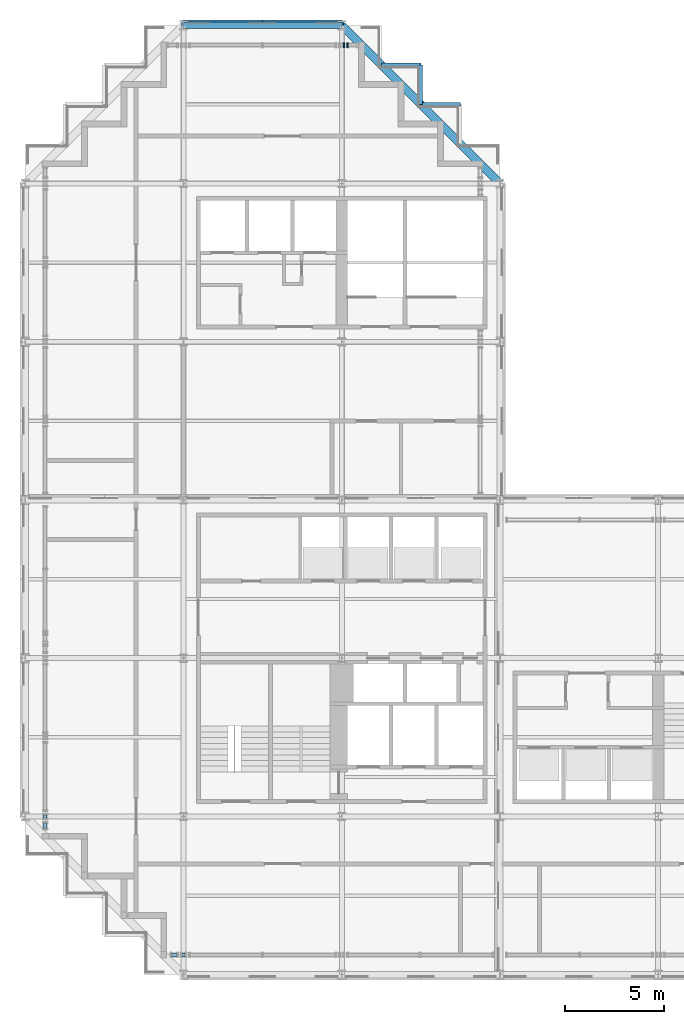
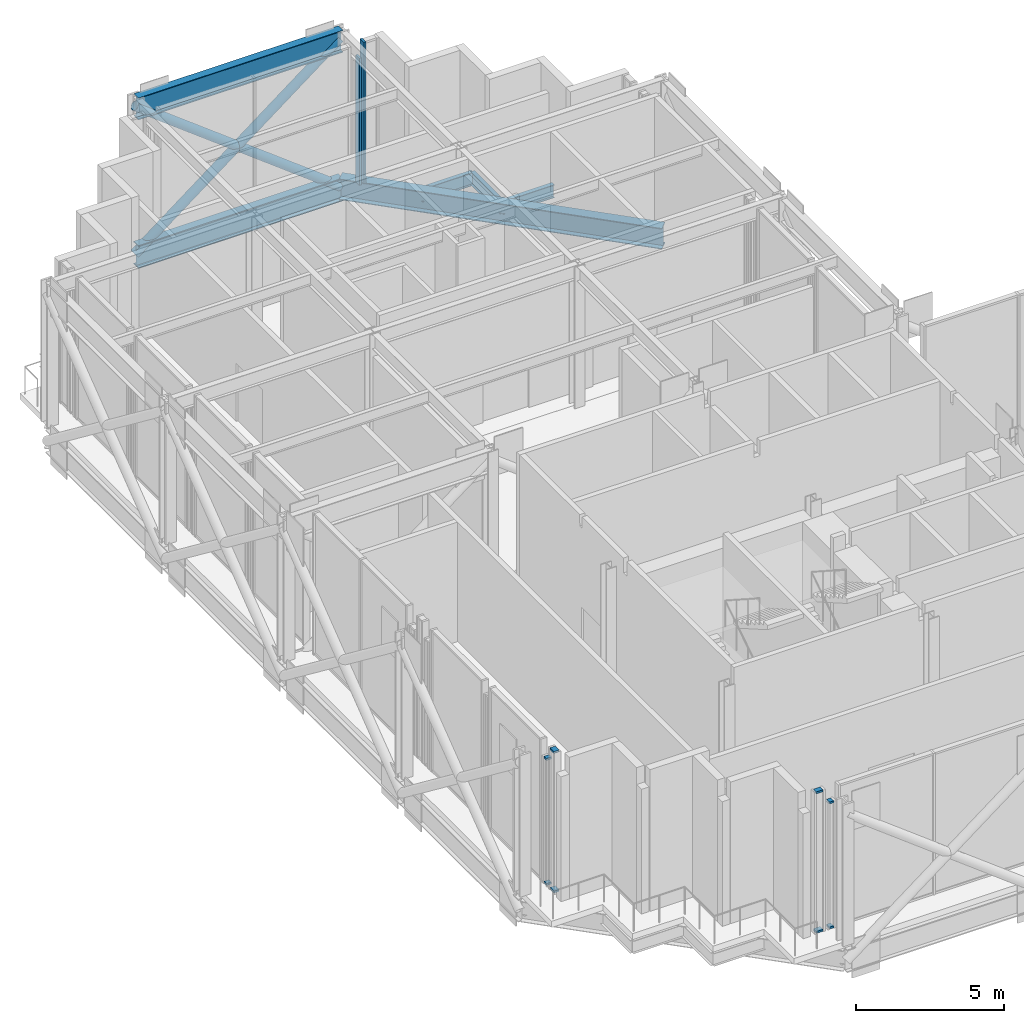
# One storey, part 6 of 23: 12 members, 6 beams, 6 elements without a shape of their own.
"""IFC4 building model written with IfcOpenShell, lengths in metres."""

from ifc_helpers import new_model, si_unit, direction, frame, origin, origin_2d, place, context, subcontext, project, spatial, rectangle, hollow_circle, i_section, extrude, material, material_profile, profile_set, type_object, element, aggregate, save


model = new_model("IFC4")

# Units and contexts
model_context = context("Model", 3, precision=1e-05, world=origin(), true_north=direction((0.0, 1.0)))
body_context = subcontext(model_context, "Body", "Model", "MODEL_VIEW")
ifc_project = project(units=[si_unit("LENGTHUNIT", "METRE"), si_unit("AREAUNIT", "SQUARE_METRE"), si_unit("VOLUMEUNIT", "CUBIC_METRE"), si_unit("PLANEANGLEUNIT", "RADIAN"), si_unit("MASSUNIT", "GRAM", prefix="KILO")], contexts=[model_context])

# Site, building, storey
site_placement = place(None, origin())
site = spatial("IfcSite", under=ifc_project, at=site_placement, CompositionType="ELEMENT")
building_placement = place(site_placement, origin())
building = spatial("IfcBuilding", under=site, at=building_placement, Name="Immortelle Media Tower", CompositionType="ELEMENT")
storey_placement = place(building_placement, frame((0.0, 0.0, 183.0)))
storey = spatial("IfcBuildingStorey", under=building, at=storey_placement, Name="L38", CompositionType="ELEMENT", Elevation=183.0)

# Members
ifc_material_1 = material(Name="Steel ASTM A500 Gr C", Category="steel")
ifc_material_profile_1 = material_profile(ifc_material_1, hollow_circle(Radius=0.177978515625, WallThickness=0.011962890625, at=origin_2d()), Name="HSS14.000x0.500 truss diagonal")
ifc_profile_set_1 = profile_set([ifc_material_profile_1], Name="Steel ASTM A500 Gr C")
member_type_1 = type_object("IfcMemberType", Name="HSS14.000x0.500 truss diagonal", PredefinedType="BRACE", material=ifc_profile_set_1)
for number, where, z_axis, x_axis, name in (
    (1, (8.0, 48.087890625, -0.72509765625), (0.794333061913, 0.0, 0.607482499132), (0.0, 1.0, 0.0), "Belt truss G/2-3 A"),
    (2, (8.0, 48.087890625, 5.39306640625), (0.794333061913, 0.0, -0.607482499132), (0.0, 1.0, 0.0), "Belt truss G/2-3 B"),
):
    element("IfcMember", number, at=place(storey_placement, frame(where, z_axis=z_axis, x_axis=x_axis)), inside=storey, type_object=member_type_1, Name=name, PredefinedType="BRACE", context=body_context, shape_type="SweptSolid", body=[
        extrude(hollow_circle(Radius=0.177978515625, WallThickness=0.011962890625, at=origin_2d()), origin(), (0.0, 0.0, 1.0), 10.0712890625),
    ])

# Curtain wall, member
ifc_material_2 = material(Name="Aluminium curtain wall system", Category="aluminium")
curtain_wall_type = type_object("IfcCurtainWallType", Name="Plant louvre wall curtain wall", PredefinedType="NOTDEFINED", material=ifc_material_2)
curtain_wall_1_placement = place(storey_placement, origin())
curtain_wall_1 = element("IfcCurtainWall", 3, at=curtain_wall_1_placement, inside=storey, type_object=curtain_wall_type, Name="Plant louvre wall L38 N 29-1", PredefinedType="NOTDEFINED")
ifc_material_3 = material(Name="Aluminium 6063-T6", Category="aluminium")
ifc_material_profile_2 = material_profile(ifc_material_3, rectangle(XDim=0.25, YDim=0.080078125, at=origin_2d()), Name="AL 80x250")
ifc_profile_set_2 = profile_set([ifc_material_profile_2], Name="Aluminium 6063-T6")
member_type_2 = type_object("IfcMemberType", Name="Plant louvre wall mullion 80 x 250", PredefinedType="MULLION", material=ifc_profile_set_2)
member_1_placement = place(storey_placement, frame((16.2939453125, 47.0, 0.0), z_axis=(0.0, 0.0, 1.0), x_axis=(0.0, -1.0, 0.0)))
member_1 = element("IfcMember", 4, at=member_1_placement, type_object=member_type_2, Name="CW6 mullion 2", PredefinedType="MULLION", context=body_context, shape_type="SweptSolid", body=[
    extrude(rectangle(XDim=0.25, YDim=0.080078125, at=origin_2d()), origin(), (0.0, 0.0, 1.0), 5.849609375),
])
aggregate(curtain_wall_1, [member_1])

curtain_wall_2_placement = place(storey_placement, origin())
curtain_wall_2 = element("IfcCurtainWall", 5, at=curtain_wall_2_placement, inside=storey, type_object=curtain_wall_type, Name="Plant louvre wall L38 N 29-2", PredefinedType="NOTDEFINED")
member_2_placement = place(storey_placement, frame((16.1240234375, 47.0, 0.0), z_axis=(0.0, 0.0, 1.0), x_axis=(0.0, -1.0, 0.0)))
member_2 = element("IfcMember", 6, at=member_2_placement, type_object=member_type_2, Name="CW6 mullion 1", PredefinedType="MULLION", context=body_context, shape_type="SweptSolid", body=[
    extrude(rectangle(XDim=0.25, YDim=0.080078125, at=origin_2d()), origin(), (0.0, 0.0, 1.0), 5.24755859375),
])
aggregate(curtain_wall_2, [member_2])

# Curtain wall, members
curtain_wall_3_placement = place(storey_placement, origin())
curtain_wall_3 = element("IfcCurtainWall", 7, at=curtain_wall_3_placement, inside=storey, type_object=curtain_wall_type, Name="Plant louvre wall L38 S 7-2", PredefinedType="NOTDEFINED")
ifc_material_profile_3 = material_profile(ifc_material_3, rectangle(XDim=0.199951171875, YDim=0.080078125, at=origin_2d()), Name="AL 80x200")
ifc_profile_set_3 = profile_set([ifc_material_profile_3], Name="Aluminium 6063-T6")
member_type_3 = type_object("IfcMemberType", Name="Plant louvre wall transom 80 x 200", PredefinedType="USERDEFINED", material=ifc_profile_set_3)
member_3_placement = place(storey_placement, frame((7.401611328125, 1.0, 0.0400390625), z_axis=(1.0, 0.0, 0.0), x_axis=(0.0, 1.0, 0.0)))
member_3 = element("IfcMember", 8, at=member_3_placement, type_object=member_type_3, Name="CW6 transom 1.1", ObjectType="TRANSOM", PredefinedType="USERDEFINED", context=body_context, shape_type="SweptSolid", body=[
    extrude(rectangle(XDim=0.199951171875, YDim=0.080078125, at=origin_2d()), origin(), (0.0, 0.0, 1.0), 0.264404296875),
])
member_4_placement = place(storey_placement, frame((7.401611328125, 1.0, 5.8095703125), z_axis=(1.0, 0.0, 0.0), x_axis=(0.0, 1.0, 0.0)))
member_4 = element("IfcMember", 9, at=member_4_placement, type_object=member_type_3, Name="CW6 transom 1.2", ObjectType="TRANSOM", PredefinedType="USERDEFINED", context=body_context, shape_type="SweptSolid", body=[
    extrude(rectangle(XDim=0.199951171875, YDim=0.080078125, at=origin_2d()), origin(), (0.0, 0.0, 1.0), 0.264404296875),
])
aggregate(curtain_wall_3, [member_3, member_4])

curtain_wall_4_placement = place(storey_placement, origin())
curtain_wall_4 = element("IfcCurtainWall", 10, at=curtain_wall_4_placement, inside=storey, type_object=curtain_wall_type, Name="Plant louvre wall L38 S 7-3", PredefinedType="NOTDEFINED")
member_5_placement = place(storey_placement, frame((7.916015625, 1.0, 0.0400390625), z_axis=(1.0, 0.0, 0.0), x_axis=(0.0, 1.0, 0.0)))
member_5 = element("IfcMember", 11, at=member_5_placement, type_object=member_type_3, Name="CW6 transom 1.1", ObjectType="TRANSOM", PredefinedType="USERDEFINED", context=body_context, shape_type="SweptSolid", body=[
    extrude(rectangle(XDim=0.199951171875, YDim=0.080078125, at=origin_2d()), origin(), (0.0, 0.0, 1.0), 0.16796875),
])
member_6_placement = place(storey_placement, frame((7.916015625, 1.0, 5.20751953125), z_axis=(1.0, 0.0, 0.0), x_axis=(0.0, 1.0, 0.0)))
member_6 = element("IfcMember", 12, at=member_6_placement, type_object=member_type_3, Name="CW6 transom 1.2", ObjectType="TRANSOM", PredefinedType="USERDEFINED", context=body_context, shape_type="SweptSolid", body=[
    extrude(rectangle(XDim=0.199951171875, YDim=0.080078125, at=origin_2d()), origin(), (0.0, 0.0, 1.0), 0.16796875),
])
aggregate(curtain_wall_4, [member_5, member_6])

curtain_wall_5_placement = place(storey_placement, origin())
curtain_wall_5 = element("IfcCurtainWall", 13, at=curtain_wall_5_placement, inside=storey, type_object=curtain_wall_type, Name="Plant louvre wall L38 W 36-17", PredefinedType="NOTDEFINED")
member_7_placement = place(storey_placement, frame((1.0, 8.083984375, 0.0400390625), z_axis=(0.0, -1.0, 0.0), x_axis=(1.0, 0.0, 0.0)))
member_7 = element("IfcMember", 14, at=member_7_placement, type_object=member_type_3, Name="CW6 transom 1.1", ObjectType="TRANSOM", PredefinedType="USERDEFINED", context=body_context, shape_type="SweptSolid", body=[
    extrude(rectangle(XDim=0.199951171875, YDim=0.080078125, at=origin_2d()), origin(), (0.0, 0.0, 1.0), 0.16796875),
])
member_8_placement = place(storey_placement, frame((1.0, 8.083984375, 5.20751953125), z_axis=(0.0, -1.0, 0.0), x_axis=(1.0, 0.0, 0.0)))
member_8 = element("IfcMember", 15, at=member_8_placement, type_object=member_type_3, Name="CW6 transom 1.2", ObjectType="TRANSOM", PredefinedType="USERDEFINED", context=body_context, shape_type="SweptSolid", body=[
    extrude(rectangle(XDim=0.199951171875, YDim=0.080078125, at=origin_2d()), origin(), (0.0, 0.0, 1.0), 0.16796875),
])
aggregate(curtain_wall_5, [member_7, member_8])

curtain_wall_6_placement = place(storey_placement, origin())
curtain_wall_6 = element("IfcCurtainWall", 16, at=curtain_wall_6_placement, inside=storey, type_object=curtain_wall_type, Name="Plant louvre wall L38 W 36-18", PredefinedType="NOTDEFINED")
member_9_placement = place(storey_placement, frame((1.0, 7.666015625, 0.0400390625), z_axis=(0.0, -1.0, 0.0), x_axis=(1.0, 0.0, 0.0)))
member_9 = element("IfcMember", 17, at=member_9_placement, type_object=member_type_3, Name="CW6 transom 1.1", ObjectType="TRANSOM", PredefinedType="USERDEFINED", context=body_context, shape_type="SweptSolid", body=[
    extrude(rectangle(XDim=0.199951171875, YDim=0.080078125, at=origin_2d()), origin(), (0.0, 0.0, 1.0), 0.264404296875),
])
member_10_placement = place(storey_placement, frame((1.0, 7.666015625, 5.8095703125), z_axis=(0.0, -1.0, 0.0), x_axis=(1.0, 0.0, 0.0)))
member_10 = element("IfcMember", 18, at=member_10_placement, type_object=member_type_3, Name="CW6 transom 1.2", ObjectType="TRANSOM", PredefinedType="USERDEFINED", context=body_context, shape_type="SweptSolid", body=[
    extrude(rectangle(XDim=0.199951171875, YDim=0.080078125, at=origin_2d()), origin(), (0.0, 0.0, 1.0), 0.264404296875),
])
aggregate(curtain_wall_6, [member_9, member_10])

# Beams
ifc_material_4 = material(Name="Steel ASTM A992 Gr 50", Category="steel")
ifc_material_profile_4 = material_profile(ifc_material_4, i_section(OverallWidth=0.1669921875, OverallDepth=0.535888671875, WebThickness=0.010009765625, FlangeThickness=0.01708984375, at=origin_2d()), Name="W21x57")
ifc_profile_set_4 = profile_set([ifc_material_profile_4], Name="Steel ASTM A992 Gr 50")
beam_type_1 = type_object("IfcBeamType", Name="W21x57 serration edge beam", PredefinedType="SPANDREL", material=ifc_profile_set_4)
for number, where, z_axis, x_axis, name in (
    (19, (18.0, 46.0, -0.51806640625), (1.0, 0.0, 0.0), (0.0, 1.0, 0.0), "Corner edge beam 1 at 4/G"),
    (20, (20.0, 46.0, -0.51806640625), (0.0, -1.0, 0.0), (1.0, 0.0, 0.0), "Corner edge beam 2 at 4/G"),
    (21, (20.0, 44.0, -0.51806640625), (1.0, 0.0, 0.0), (0.0, 1.0, 0.0), "Corner edge beam 3 at 4/G"),
):
    element("IfcBeam", number, at=place(storey_placement, frame(where, z_axis=z_axis, x_axis=x_axis)), inside=storey, type_object=beam_type_1, Name=name, PredefinedType="SPANDREL", context=body_context, shape_type="SweptSolid", body=[
        extrude(i_section(OverallWidth=0.1669921875, OverallDepth=0.535888671875, WebThickness=0.010009765625, FlangeThickness=0.01708984375, at=origin_2d()), origin(), (0.0, 0.0, 1.0), 2.0),
    ])
ifc_material_profile_5 = material_profile(ifc_material_4, i_section(OverallWidth=0.40087890625, OverallDepth=0.861083984375, WebThickness=0.02001953125, FlangeThickness=0.029052734375, at=origin_2d()), Name="W33x221")
ifc_profile_set_5 = profile_set([ifc_material_profile_5], Name="Steel ASTM A992 Gr 50")
beam_type_2 = type_object("IfcBeamType", Name="W33x221 corner girder", PredefinedType="SPANDREL", material=ifc_profile_set_5)
beam_1_placement = place(storey_placement, frame((16.0, 48.0, -0.680419921875), z_axis=(0.707106781187, -0.707106781187, 0.0), x_axis=(0.707106781187, 0.707106781187, 0.0)))
element("IfcBeam", 22, at=beam_1_placement, inside=storey, type_object=beam_type_2, Name="Corner girder at 4/G", PredefinedType="SPANDREL", context=body_context, shape_type="SweptSolid", body=[
    extrude(i_section(OverallWidth=0.40087890625, OverallDepth=0.861083984375, WebThickness=0.02001953125, FlangeThickness=0.029052734375, at=origin_2d()), origin(), (0.0, 0.0, 1.0), 11.313720703125),
])
ifc_material_profile_6 = material_profile(ifc_material_4, i_section(OverallWidth=0.304931640625, OverallDepth=0.9140625, WebThickness=0.01708984375, FlangeThickness=0.02587890625, at=origin_2d()), Name="W36x160")
ifc_profile_set_6 = profile_set([ifc_material_profile_6], Name="Steel ASTM A992 Gr 50")
beam_type_3 = type_object("IfcBeamType", Name="W36x160 perimeter girder", PredefinedType="SPANDREL", material=ifc_profile_set_6)
beam_2_placement = place(storey_placement, frame((8.0, 48.0, 5.39306640625), z_axis=(1.0, 0.0, 0.0), x_axis=(0.0, 1.0, 0.0)))
element("IfcBeam", 23, at=beam_2_placement, inside=storey, type_object=beam_type_3, Name="Girder G/2-3", PredefinedType="SPANDREL", context=body_context, shape_type="SweptSolid", body=[
    extrude(i_section(OverallWidth=0.304931640625, OverallDepth=0.9140625, WebThickness=0.01708984375, FlangeThickness=0.02587890625, at=origin_2d()), origin(), (0.0, 0.0, 1.0), 8.0),
])
ifc_material_profile_7 = material_profile(ifc_material_4, i_section(OverallWidth=0.31005859375, OverallDepth=0.949951171875, WebThickness=0.02392578125, FlangeThickness=0.0439453125, at=origin_2d()), Name="W36x256")
ifc_profile_set_7 = profile_set([ifc_material_profile_7], Name="Steel ASTM A992 Gr 50")
beam_type_4 = type_object("IfcBeamType", Name="W36x256 perimeter girder", PredefinedType="SPANDREL", material=ifc_profile_set_7)
beam_3_placement = place(storey_placement, frame((8.0, 48.0, -0.72509765625), z_axis=(1.0, 0.0, 0.0), x_axis=(0.0, 1.0, 0.0)))
element("IfcBeam", 24, at=beam_3_placement, inside=storey, type_object=beam_type_4, Name="Girder G/2-3", PredefinedType="SPANDREL", context=body_context, shape_type="SweptSolid", body=[
    extrude(i_section(OverallWidth=0.31005859375, OverallDepth=0.949951171875, WebThickness=0.02392578125, FlangeThickness=0.0439453125, at=origin_2d()), origin(), (0.0, 0.0, 1.0), 8.0),
])

save(model, "model.ifc")
